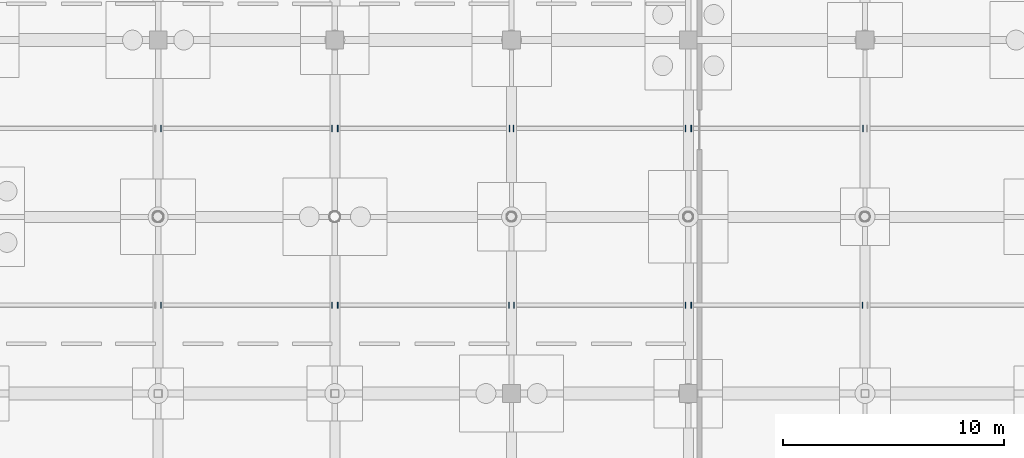
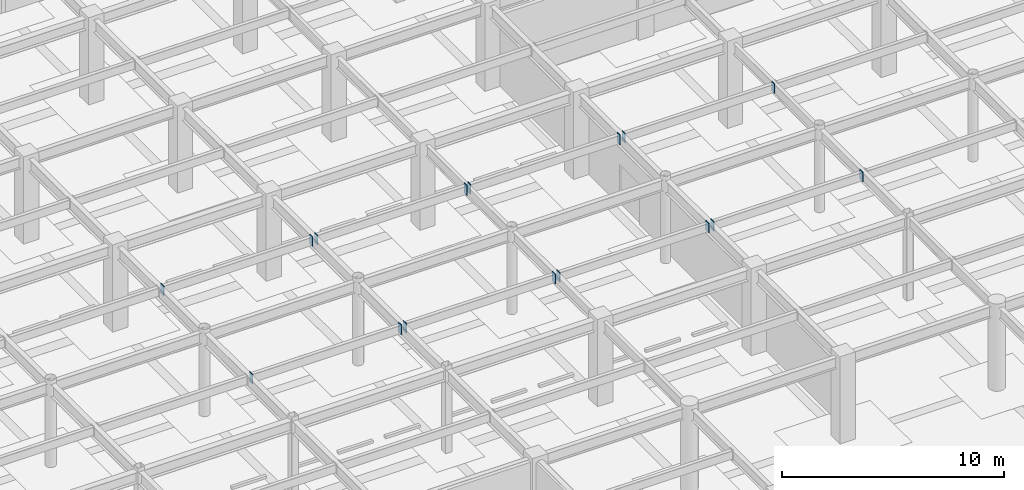
# One storey, part 81 of 105: 16 discrete accessories.
"""IFC4 building model written with IfcOpenShell, lengths in metres."""

from ifc_helpers import new_model, si_unit, direction, frame, origin, origin_2d, place, context, subcontext, project, spatial, rectangle, extrude, material, layer, layer_set, type_object, element, save


model = new_model("IFC4")

# Units and contexts
model_context = context("Model", 3, precision=1e-05, world=origin(), true_north=direction((0.0, 1.0)))
body_context = subcontext(model_context, "Body", "Model", "MODEL_VIEW")
ifc_project = project(units=[si_unit("LENGTHUNIT", "METRE"), si_unit("AREAUNIT", "SQUARE_METRE"), si_unit("VOLUMEUNIT", "CUBIC_METRE"), si_unit("PLANEANGLEUNIT", "RADIAN"), si_unit("MASSUNIT", "GRAM", prefix="KILO")], contexts=[model_context])

# Site, building, storey
site_placement = place(None, origin())
site = spatial("IfcSite", under=ifc_project, at=site_placement, CompositionType="ELEMENT")
building_placement = place(site_placement, origin())
building = spatial("IfcBuilding", under=site, at=building_placement, Name="Solmirada Galleria", CompositionType="ELEMENT")
storey_placement = place(building_placement, frame((0.0, 0.0, -4.800048828125)))
storey = spatial("IfcBuildingStorey", under=building, at=storey_placement, Name="B1", CompositionType="ELEMENT", Elevation=-4.800048828125)

# Discrete accessories
ifc_material = material(Name="Steel S355 / ASTM A572 Grade 50", Category="steel")
ifc_layer = layer(ifc_material, 0.031982421875)
ifc_layer_set = layer_set([ifc_layer], Name="Steel S355 / ASTM A572 Grade 50")
discrete_accessory_type = type_object("IfcDiscreteAccessoryType", Name="ACC-COL-CAP", PredefinedType="BRACKET", material=ifc_layer_set)
for number, where, z_axis, x_axis, name in (
    (1, (72.1279296875, 84.0, 4.08154296875), (0.0, 0.0, 1.0), (1.0, 0.0, 0.0), "Hollow joist end plate L00-10-11-L"),
    (2, (79.873046875, 84.0, 4.08154296875), (0.0, 0.0, 1.0), (1.0, 0.0, 0.0), "Hollow joist end plate L00-10-11-R"),
    (3, (72.1279296875, 92.0, 4.08154296875), (0.0, 0.0, 1.0), (1.0, 0.0, 0.0), "Hollow joist end plate L00-10-12-L"),
    (4, (79.873046875, 92.0, 4.08154296875), (0.0, 0.0, 1.0), (1.0, 0.0, 0.0), "Hollow joist end plate L00-10-12-R"),
    (5, (80.126953125, 84.0, 4.08154296875), (0.0, 0.0, 1.0), (1.0, 0.0, 0.0), "Hollow joist end plate L00-11-11-L"),
    (6, (87.885986328125, 84.0, 4.08154296875), (0.0, 0.0, 1.0), (1.0, 0.0, 0.0), "Hollow joist end plate L00-11-11-R"),
    (7, (80.126953125, 92.0, 4.08154296875), (0.0, 0.0, 1.0), (1.0, 0.0, 0.0), "Hollow joist end plate L00-11-12-L"),
    (8, (87.910888671875, 92.0, 4.08154296875), (0.0, 0.0, 1.0), (1.0, 0.0, 0.0), "Hollow joist end plate L00-11-12-R"),
    (9, (88.114013671875, 84.0, 4.08154296875), (0.0, 0.0, 1.0), (1.0, 0.0, 0.0), "Hollow joist end plate L00-12-11-L"),
    (10, (95.8720703125, 84.0, 4.08154296875), (0.0, 0.0, 1.0), (1.0, 0.0, 0.0), "Hollow joist end plate L00-12-11-R"),
    (11, (88.089111328125, 92.0, 4.08154296875), (0.0, 0.0, 1.0), (1.0, 0.0, 0.0), "Hollow joist end plate L00-12-12-L"),
    (12, (95.8720703125, 92.0, 4.08154296875), (0.0, 0.0, 1.0), (1.0, 0.0, 0.0), "Hollow joist end plate L00-12-12-R"),
    (13, (96.1279296875, 84.0, 4.08154296875), (0.0, 0.0, 1.0), (1.0, 0.0, 0.0), "Hollow joist end plate L00-13-11-L"),
    (14, (103.885986328125, 84.0, 4.08154296875), (0.0, 0.0, 1.0), (1.0, 0.0, 0.0), "Hollow joist end plate L00-13-11-R"),
    (15, (96.1279296875, 92.0, 4.08154296875), (0.0, 0.0, 1.0), (1.0, 0.0, 0.0), "Hollow joist end plate L00-13-12-L"),
    (16, (103.910888671875, 92.0, 4.08154296875), (0.0, 0.0, 1.0), (1.0, 0.0, 0.0), "Hollow joist end plate L00-13-12-R"),
):
    element("IfcDiscreteAccessory", number, at=place(storey_placement, frame(where, z_axis=z_axis, x_axis=x_axis)), inside=storey, type_object=discrete_accessory_type, Name=name, PredefinedType="BRACKET", context=body_context, shape_type="SweptSolid", body=[
        extrude(rectangle(XDim=0.035888671875, YDim=0.280029296875, at=origin_2d()), origin(), (0.0, 0.0, 1.0), 0.5400390625),
    ])

save(model, "model.ifc")
